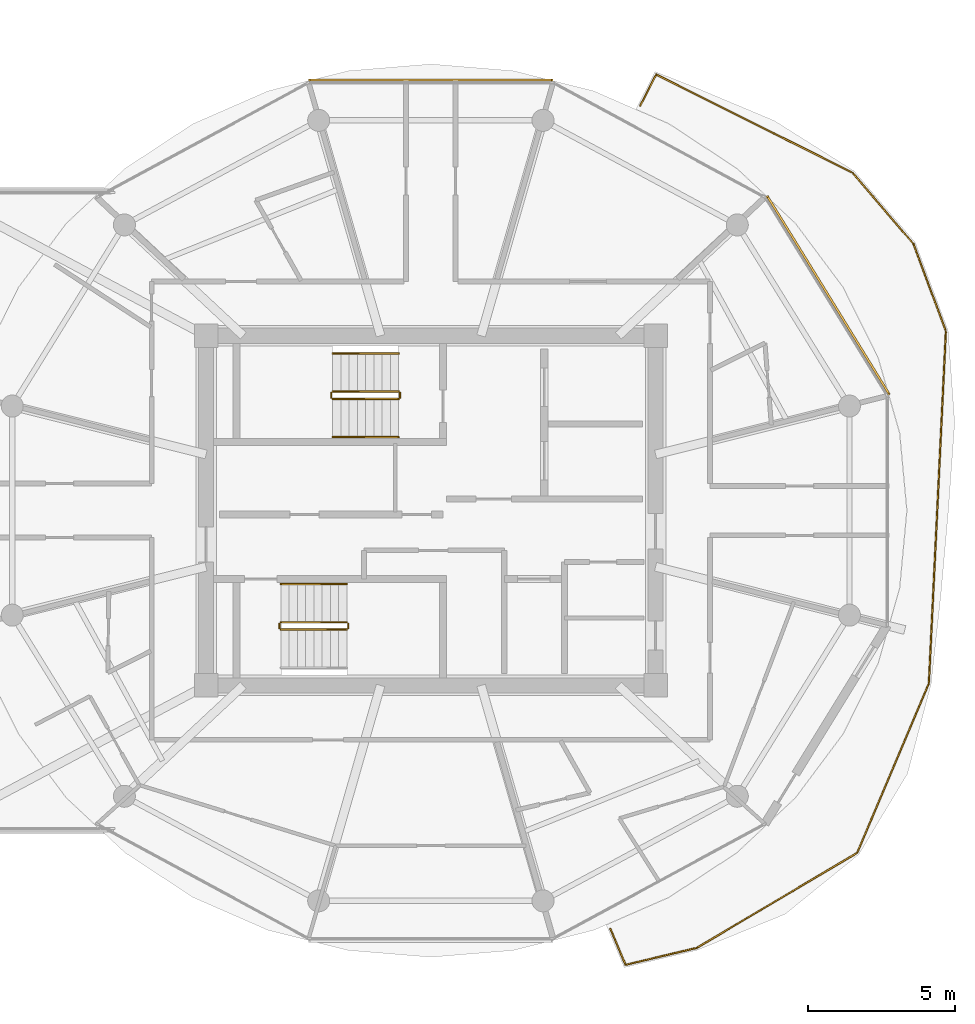
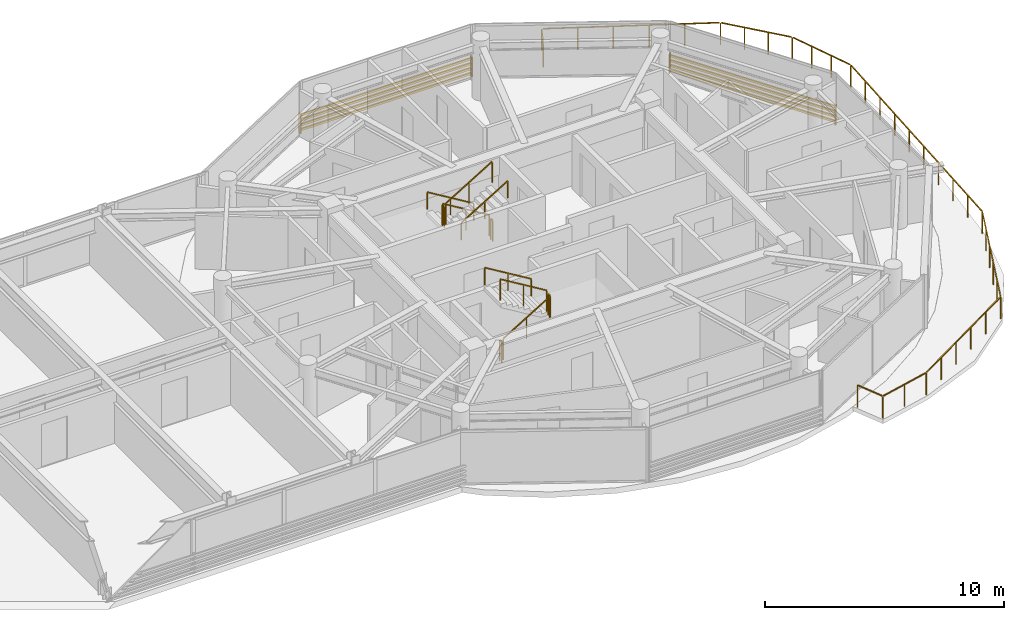
# One storey, part 23 of 23: 13 railings, 2 shading devices.
"""IFC4 building model written with IfcOpenShell, lengths in metres."""

from ifc_helpers import new_model, si_unit, direction, frame, origin, origin_2d, place, context, subcontext, project, spatial, rectangle, extrude, source, transform, mapped, material, type_object, type_shapes, element, save


model = new_model("IFC4")

# Units and contexts
model_context = context("Model", 3, precision=1e-05, world=origin(), true_north=direction((0.0, 1.0)))
body_context = subcontext(model_context, "Body", "Model", "MODEL_VIEW")
ifc_project = project(units=[si_unit("LENGTHUNIT", "METRE"), si_unit("AREAUNIT", "SQUARE_METRE"), si_unit("VOLUMEUNIT", "CUBIC_METRE"), si_unit("PLANEANGLEUNIT", "RADIAN"), si_unit("MASSUNIT", "GRAM", prefix="KILO")], contexts=[model_context])

# Site, building, storey
site_placement = place(None, origin())
site = spatial("IfcSite", under=ifc_project, at=site_placement, CompositionType="ELEMENT")
building_placement = place(site_placement, origin())
building = spatial("IfcBuilding", under=site, at=building_placement, Name="Norrkilde Senior Care Towers", CompositionType="ELEMENT")
storey_placement = place(building_placement, frame((0.0, 0.0, 207.800048828125)))
storey = spatial("IfcBuildingStorey", under=building, at=storey_placement, Name="L64", CompositionType="ELEMENT", Elevation=207.800048828125)

# Railings
ifc_material_1 = material(Name="Anodised Aluminium", Category="aluminium")
railing_type_1 = type_object("IfcRailingType", Name="Balcony Swirl Ribbon Guardrail 1150", PredefinedType="GUARDRAIL", material=ifc_material_1)
railing_1_placement = place(storey_placement, frame((42.5087890625, -11.64892578125, 0.0)))
element("IfcRailing", 1, at=railing_1_placement, inside=storey, type_object=railing_type_1, Name="L64 Perimeter Safety Guard 01", PredefinedType="GUARDRAIL", context=body_context, shape_type="SweptSolid", body=[
    extrude(rectangle(XDim=0.048095703125, YDim=0.048095703125, at=origin_2d()), frame((0.0, 0.0, 1.1259765625), z_axis=(-0.860277161203, -0.509826643, 0.0), x_axis=(0.509826643, -0.860277161203, 0.0)), (0.0, 0.0, 1.0), 6.3056640625),
    extrude(rectangle(XDim=0.048095703125, YDim=0.048095703125, at=origin_2d()), frame((-5.49951171875, -3.2451171875, 1.1259765625), z_axis=(-0.972926074045, -0.231116538662, 0.0), x_axis=(0.231116538662, -0.972926074045, 0.0)), (0.0, 0.0, 1.0), 2.406982421875),
    extrude(rectangle(XDim=0.048095703125, YDim=0.048095703125, at=origin_2d()), frame((-7.89697265625, -3.773193359375, 1.1259765625), z_axis=(-0.389783328251, 0.920906595164, 0.0), x_axis=(-0.920906595164, -0.389783328251, 0.0)), (0.0, 0.0, 1.0), 1.292724609375),
    extrude(rectangle(XDim=0.0419921875, YDim=0.0419921875, at=origin_2d()), origin(), (0.0, 0.0, 1.0), 1.099853515625),
    extrude(rectangle(XDim=0.0419921875, YDim=0.0419921875, at=origin_2d()), frame((-1.092041015625, -0.647216796875, 0.0)), (0.0, 0.0, 1.0), 1.099853515625),
    extrude(rectangle(XDim=0.0419921875, YDim=0.0419921875, at=origin_2d()), frame((-2.183837890625, -1.294189453125, 0.0)), (0.0, 0.0, 1.0), 1.099853515625),
    extrude(rectangle(XDim=0.0419921875, YDim=0.0419921875, at=origin_2d()), frame((-3.27587890625, -1.94140625, 0.0)), (0.0, 0.0, 1.0), 1.099853515625),
    extrude(rectangle(XDim=0.0419921875, YDim=0.0419921875, at=origin_2d()), frame((-4.36767578125, -2.58837890625, 0.0)), (0.0, 0.0, 1.0), 1.099853515625),
    extrude(rectangle(XDim=0.0419921875, YDim=0.0419921875, at=origin_2d()), frame((-5.459716796875, -3.235595703125, 0.0)), (0.0, 0.0, 1.0), 1.099853515625),
    extrude(rectangle(XDim=0.0419921875, YDim=0.0419921875, at=origin_2d()), frame((-6.67041015625, -3.523193359375, 0.0)), (0.0, 0.0, 1.0), 1.099853515625),
    extrude(rectangle(XDim=0.0419921875, YDim=0.0419921875, at=origin_2d()), frame((-7.881103515625, -3.810791015625, 0.0)), (0.0, 0.0, 1.0), 1.099853515625),
    extrude(rectangle(XDim=0.0419921875, YDim=0.0419921875, at=origin_2d()), frame((-8.40087890625, -2.582763671875, 0.0)), (0.0, 0.0, 1.0), 1.099853515625),
])
railing_2_placement = place(storey_placement, frame((35.130126953125, 13.784423828125, 0.0)))
element("IfcRailing", 2, at=railing_2_placement, inside=storey, type_object=railing_type_1, Name="L64 Perimeter Safety Guard 02", PredefinedType="GUARDRAIL", context=body_context, shape_type="SweptSolid", body=[
    extrude(rectangle(XDim=0.048095703125, YDim=0.048095703125, at=origin_2d()), frame((0.0, 0.0, 1.1259765625), z_axis=(0.454773682206, 0.890607039032, 0.0), x_axis=(-0.890607039032, 0.454773682206, 0.0)), (0.0, 0.0, 1.0), 1.14501953125),
    extrude(rectangle(XDim=0.048095703125, YDim=0.048095703125, at=origin_2d()), frame((0.575927734375, 1.037841796875, 1.1259765625), z_axis=(0.894440252908, -0.447187470731, 0.0), x_axis=(0.447187470731, 0.894440252908, 0.0)), (0.0, 0.0, 1.0), 7.39453125),
    extrude(rectangle(XDim=0.048095703125, YDim=0.048095703125, at=origin_2d()), frame((7.2529296875, -2.318115234375, 1.1259765625), z_axis=(0.649755430924, -0.76014332858, 0.0), x_axis=(0.76014332858, 0.649755430924, 0.0)), (0.0, 0.0, 1.0), 3.10302734375),
    extrude(rectangle(XDim=0.048095703125, YDim=0.048095703125, at=origin_2d()), frame((9.309814453125, -4.746337890625, 1.1259765625), z_axis=(0.34834325731, -0.937367043952, 0.0), x_axis=(0.937367043952, 0.34834325731, 0.0)), (0.0, 0.0, 1.0), 3.086181640625),
    extrude(rectangle(XDim=0.048095703125, YDim=0.048095703125, at=origin_2d()), frame((10.397216796875, -7.71826171875, 1.1259765625), z_axis=(-0.048215367866, -0.998836962823, 0.0), x_axis=(0.998836962823, -0.048215367866, 0.0)), (0.0, 0.0, 1.0), 11.923828125),
    extrude(rectangle(XDim=0.048095703125, YDim=0.048095703125, at=origin_2d()), frame((9.804443359375, -19.706787109375, 1.1259765625), z_axis=(-0.390041994438, -0.920797069161, 0.0), x_axis=(0.920797069161, -0.390041994438, 0.0)), (0.0, 0.0, 1.0), 6.218994140625),
    extrude(rectangle(XDim=0.0419921875, YDim=0.0419921875, at=origin_2d()), origin(), (0.0, 0.0, 1.0), 1.099853515625),
    extrude(rectangle(XDim=0.0419921875, YDim=0.0419921875, at=origin_2d()), frame((0.539306640625, 1.05615234375, 0.0)), (0.0, 0.0, 1.0), 1.099853515625),
    extrude(rectangle(XDim=0.0419921875, YDim=0.0419921875, at=origin_2d()), frame((1.876708984375, 0.387451171875, 0.0)), (0.0, 0.0, 1.0), 1.099853515625),
    extrude(rectangle(XDim=0.0419921875, YDim=0.0419921875, at=origin_2d()), frame((3.214111328125, -0.28125, 0.0)), (0.0, 0.0, 1.0), 1.099853515625),
    extrude(rectangle(XDim=0.0419921875, YDim=0.0419921875, at=origin_2d()), frame((4.551513671875, -0.94970703125, 0.0)), (0.0, 0.0, 1.0), 1.099853515625),
    extrude(rectangle(XDim=0.0419921875, YDim=0.0419921875, at=origin_2d()), frame((5.888916015625, -1.618408203125, 0.0)), (0.0, 0.0, 1.0), 1.099853515625),
    extrude(rectangle(XDim=0.0419921875, YDim=0.0419921875, at=origin_2d()), frame((7.226318359375, -2.287109375, 0.0)), (0.0, 0.0, 1.0), 1.099853515625),
    extrude(rectangle(XDim=0.0419921875, YDim=0.0419921875, at=origin_2d()), frame((7.916015625, -3.093994140625, 0.0)), (0.0, 0.0, 1.0), 1.099853515625),
    extrude(rectangle(XDim=0.0419921875, YDim=0.0419921875, at=origin_2d()), frame((8.60595703125, -3.901123046875, 0.0)), (0.0, 0.0, 1.0), 1.099853515625),
    extrude(rectangle(XDim=0.0419921875, YDim=0.0419921875, at=origin_2d()), frame((9.295654296875, -4.7080078125, 0.0)), (0.0, 0.0, 1.0), 1.099853515625),
    extrude(rectangle(XDim=0.0419921875, YDim=0.0419921875, at=origin_2d()), frame((9.66357421875, -5.69775390625, 0.0)), (0.0, 0.0, 1.0), 1.099853515625),
    extrude(rectangle(XDim=0.0419921875, YDim=0.0419921875, at=origin_2d()), frame((10.03125, -6.687744140625, 0.0)), (0.0, 0.0, 1.0), 1.099853515625),
    extrude(rectangle(XDim=0.0419921875, YDim=0.0419921875, at=origin_2d()), frame((10.399169921875, -7.677490234375, 0.0)), (0.0, 0.0, 1.0), 1.099853515625),
    extrude(rectangle(XDim=0.0419921875, YDim=0.0419921875, at=origin_2d()), frame((10.3349609375, -9.010009765625, 0.0)), (0.0, 0.0, 1.0), 1.099853515625),
    extrude(rectangle(XDim=0.0419921875, YDim=0.0419921875, at=origin_2d()), frame((10.2705078125, -10.34228515625, 0.0)), (0.0, 0.0, 1.0), 1.099853515625),
    extrude(rectangle(XDim=0.0419921875, YDim=0.0419921875, at=origin_2d()), frame((10.206298828125, -11.6748046875, 0.0)), (0.0, 0.0, 1.0), 1.099853515625),
    extrude(rectangle(XDim=0.0419921875, YDim=0.0419921875, at=origin_2d()), frame((10.141845703125, -13.007080078125, 0.0)), (0.0, 0.0, 1.0), 1.099853515625),
    extrude(rectangle(XDim=0.0419921875, YDim=0.0419921875, at=origin_2d()), frame((10.07763671875, -14.339599609375, 0.0)), (0.0, 0.0, 1.0), 1.099853515625),
    extrude(rectangle(XDim=0.0419921875, YDim=0.0419921875, at=origin_2d()), frame((10.01318359375, -15.671875, 0.0)), (0.0, 0.0, 1.0), 1.099853515625),
    extrude(rectangle(XDim=0.0419921875, YDim=0.0419921875, at=origin_2d()), frame((9.948974609375, -17.00439453125, 0.0)), (0.0, 0.0, 1.0), 1.099853515625),
    extrude(rectangle(XDim=0.0419921875, YDim=0.0419921875, at=origin_2d()), frame((9.884521484375, -18.336669921875, 0.0)), (0.0, 0.0, 1.0), 1.099853515625),
    extrude(rectangle(XDim=0.0419921875, YDim=0.0419921875, at=origin_2d()), frame((9.8203125, -19.669189453125, 0.0)), (0.0, 0.0, 1.0), 1.099853515625),
    extrude(rectangle(XDim=0.0419921875, YDim=0.0419921875, at=origin_2d()), frame((9.33203125, -20.822021484375, 0.0)), (0.0, 0.0, 1.0), 1.099853515625),
    extrude(rectangle(XDim=0.0419921875, YDim=0.0419921875, at=origin_2d()), frame((8.84375, -21.974853515625, 0.0)), (0.0, 0.0, 1.0), 1.099853515625),
    extrude(rectangle(XDim=0.0419921875, YDim=0.0419921875, at=origin_2d()), frame((8.355224609375, -23.127685546875, 0.0)), (0.0, 0.0, 1.0), 1.099853515625),
    extrude(rectangle(XDim=0.0419921875, YDim=0.0419921875, at=origin_2d()), frame((7.866943359375, -24.280517578125, 0.0)), (0.0, 0.0, 1.0), 1.099853515625),
    extrude(rectangle(XDim=0.0419921875, YDim=0.0419921875, at=origin_2d()), frame((7.378662109375, -25.433349609375, 0.0)), (0.0, 0.0, 1.0), 1.099853515625),
])
ifc_material_2 = material(Name="Stainless Steel", Category="steel")
railing_type_2 = type_object("IfcRailingType", Name="Stair and Terrace Guardrail 1100", PredefinedType="GUARDRAIL", material=ifc_material_2)
railing_3_placement = place(storey_placement, frame((26.89990234375, 4.050048828125, 0.16943359375)))
element("IfcRailing", 3, at=railing_3_placement, inside=storey, type_object=railing_type_2, Name="L64 ST-E1 stair guard 1", PredefinedType="GUARDRAIL", context=body_context, shape_type="SweptSolid", body=[
    extrude(rectangle(XDim=0.048095703125, YDim=0.048095703125, at=origin_2d()), frame((0.0, 0.0, 1.076171875), z_axis=(-0.855553338991, 0.0, 0.51771467445), x_axis=(0.0, -1.0, 0.0)), (0.0, 0.0, 1.0), 2.6181640625),
    extrude(rectangle(XDim=0.0419921875, YDim=0.0419921875, at=origin_2d()), origin(), (0.0, 0.0, 1.0), 1.050048828125),
    extrude(rectangle(XDim=0.0419921875, YDim=0.0419921875, at=origin_2d()), frame((-1.1201171875, 0.0, 0.677734375)), (0.0, 0.0, 1.0), 1.050048828125),
    extrude(rectangle(XDim=0.0419921875, YDim=0.0419921875, at=origin_2d()), frame((-2.239990234375, 0.0, 1.35546875)), (0.0, 0.0, 1.0), 1.050048828125),
])
railing_4_placement = place(storey_placement, frame((24.610107421875, 4.0, 1.52490234375)))
element("IfcRailing", 4, at=railing_4_placement, inside=storey, type_object=railing_type_2, Name="L64 ST-E1 stair guard 2", PredefinedType="GUARDRAIL", context=body_context, shape_type="SweptSolid", body=[
    extrude(rectangle(XDim=0.048095703125, YDim=0.048095703125, at=origin_2d()), frame((0.0, 0.0, 1.076171875), z_axis=(0.0, -1.0, 0.0), x_axis=(1.0, 0.0, 0.0)), (0.0, 0.0, 1.0), 0.14990234375),
    extrude(rectangle(XDim=0.0419921875, YDim=0.0419921875, at=origin_2d()), origin(), (0.0, 0.0, 1.0), 1.050048828125),
    extrude(rectangle(XDim=0.0419921875, YDim=0.0419921875, at=origin_2d()), frame((0.0, -0.14990234375, 0.0)), (0.0, 0.0, 1.0), 1.050048828125),
])
railing_5_placement = place(storey_placement, frame((24.659912109375, 3.800048828125, 1.6943359375)))
element("IfcRailing", 5, at=railing_5_placement, inside=storey, type_object=railing_type_2, Name="L64 ST-E1 stair guard 3", PredefinedType="GUARDRAIL", context=body_context, shape_type="SweptSolid", body=[
    extrude(rectangle(XDim=0.048095703125, YDim=0.048095703125, at=origin_2d()), frame((0.0, 0.0, 1.076171875), z_axis=(0.855512035549, 0.0, 0.517782924622), x_axis=(0.0, 1.0, 0.0)), (0.0, 0.0, 1.0), 2.618408203125),
    extrude(rectangle(XDim=0.0419921875, YDim=0.0419921875, at=origin_2d()), origin(), (0.0, 0.0, 1.0), 1.050048828125),
    extrude(rectangle(XDim=0.0419921875, YDim=0.0419921875, at=origin_2d()), frame((1.1201171875, 0.0, 0.677734375)), (0.0, 0.0, 1.0), 1.050048828125),
    extrude(rectangle(XDim=0.0419921875, YDim=0.0419921875, at=origin_2d()), frame((2.239990234375, 0.0, 1.355712890625)), (0.0, 0.0, 1.0), 1.050048828125),
])
railing_6_placement = place(storey_placement, frame((26.949951171875, 4.0, 0.0)))
element("IfcRailing", 6, at=railing_6_placement, inside=storey, type_object=railing_type_2, Name="L64 ST-E1 stair guard 4", PredefinedType="GUARDRAIL", context=body_context, shape_type="SweptSolid", body=[
    extrude(rectangle(XDim=0.048095703125, YDim=0.048095703125, at=origin_2d()), frame((0.0, 0.0, 1.076171875), z_axis=(0.0, -1.0, 0.0), x_axis=(1.0, 0.0, 0.0)), (0.0, 0.0, 1.0), 0.14990234375),
    extrude(rectangle(XDim=0.0419921875, YDim=0.0419921875, at=origin_2d()), origin(), (0.0, 0.0, 1.0), 1.050048828125),
    extrude(rectangle(XDim=0.0419921875, YDim=0.0419921875, at=origin_2d()), frame((0.0, -0.14990234375, 0.0)), (0.0, 0.0, 1.0), 1.050048828125),
])
railing_7_placement = place(storey_placement, frame((22.89990234375, -4.050048828125, 0.16943359375)))
element("IfcRailing", 7, at=railing_7_placement, inside=storey, type_object=railing_type_2, Name="L64 ST-E2 stair guard 1", PredefinedType="GUARDRAIL", context=body_context, shape_type="SweptSolid", body=[
    extrude(rectangle(XDim=0.048095703125, YDim=0.048095703125, at=origin_2d()), frame((0.0, 0.0, 1.076171875), z_axis=(0.855553338991, 0.0, 0.51771467445), x_axis=(0.0, 1.0, 0.0)), (0.0, 0.0, 1.0), 2.6181640625),
    extrude(rectangle(XDim=0.0419921875, YDim=0.0419921875, at=origin_2d()), origin(), (0.0, 0.0, 1.0), 1.050048828125),
    extrude(rectangle(XDim=0.0419921875, YDim=0.0419921875, at=origin_2d()), frame((1.1201171875, 0.0, 0.677734375)), (0.0, 0.0, 1.0), 1.050048828125),
    extrude(rectangle(XDim=0.0419921875, YDim=0.0419921875, at=origin_2d()), frame((2.239990234375, 0.0, 1.35546875)), (0.0, 0.0, 1.0), 1.050048828125),
])
railing_8_placement = place(storey_placement, frame((25.18994140625, -4.0, 1.52490234375)))
element("IfcRailing", 8, at=railing_8_placement, inside=storey, type_object=railing_type_2, Name="L64 ST-E2 stair guard 2", PredefinedType="GUARDRAIL", context=body_context, shape_type="SweptSolid", body=[
    extrude(rectangle(XDim=0.048095703125, YDim=0.048095703125, at=origin_2d()), frame((0.0, 0.0, 1.076171875), z_axis=(0.0, 1.0, 0.0), x_axis=(-1.0, 0.0, 0.0)), (0.0, 0.0, 1.0), 0.14990234375),
    extrude(rectangle(XDim=0.0419921875, YDim=0.0419921875, at=origin_2d()), origin(), (0.0, 0.0, 1.0), 1.050048828125),
    extrude(rectangle(XDim=0.0419921875, YDim=0.0419921875, at=origin_2d()), frame((0.0, 0.14990234375, 0.0)), (0.0, 0.0, 1.0), 1.050048828125),
])
railing_9_placement = place(storey_placement, frame((25.139892578125, -3.800048828125, 1.6943359375)))
element("IfcRailing", 9, at=railing_9_placement, inside=storey, type_object=railing_type_2, Name="L64 ST-E2 stair guard 3", PredefinedType="GUARDRAIL", context=body_context, shape_type="SweptSolid", body=[
    extrude(rectangle(XDim=0.048095703125, YDim=0.048095703125, at=origin_2d()), frame((0.0, 0.0, 1.076171875), z_axis=(-0.855512035549, 0.0, 0.517782924622), x_axis=(0.0, -1.0, 0.0)), (0.0, 0.0, 1.0), 2.618408203125),
    extrude(rectangle(XDim=0.0419921875, YDim=0.0419921875, at=origin_2d()), origin(), (0.0, 0.0, 1.0), 1.050048828125),
    extrude(rectangle(XDim=0.0419921875, YDim=0.0419921875, at=origin_2d()), frame((-1.1201171875, 0.0, 0.677734375)), (0.0, 0.0, 1.0), 1.050048828125),
    extrude(rectangle(XDim=0.0419921875, YDim=0.0419921875, at=origin_2d()), frame((-2.239990234375, 0.0, 1.355712890625)), (0.0, 0.0, 1.0), 1.050048828125),
])
railing_10_placement = place(storey_placement, frame((22.85009765625, -4.0, 0.0)))
element("IfcRailing", 10, at=railing_10_placement, inside=storey, type_object=railing_type_2, Name="L64 ST-E2 stair guard 4", PredefinedType="GUARDRAIL", context=body_context, shape_type="SweptSolid", body=[
    extrude(rectangle(XDim=0.048095703125, YDim=0.048095703125, at=origin_2d()), frame((0.0, 0.0, 1.076171875), z_axis=(0.0, 1.0, 0.0), x_axis=(-1.0, 0.0, 0.0)), (0.0, 0.0, 1.0), 0.14990234375),
    extrude(rectangle(XDim=0.0419921875, YDim=0.0419921875, at=origin_2d()), origin(), (0.0, 0.0, 1.0), 1.050048828125),
    extrude(rectangle(XDim=0.0419921875, YDim=0.0419921875, at=origin_2d()), frame((0.0, 0.14990234375, 0.0)), (0.0, 0.0, 1.0), 1.050048828125),
])
ifc_material_3 = material(Name="Nordic Ash Timber", Category="wood")
railing_type_3 = type_object("IfcRailingType", Name="Wall and Stair Handrail 900", PredefinedType="HANDRAIL", material=ifc_material_3)
railing_11_placement = place(storey_placement, frame((26.89990234375, 5.35009765625, 0.16943359375)))
element("IfcRailing", 11, at=railing_11_placement, inside=storey, type_object=railing_type_3, Name="L64 ST-E1 stair handrail 1", PredefinedType="HANDRAIL", context=body_context, shape_type="SweptSolid", body=[
    extrude(rectangle(XDim=0.048095703125, YDim=0.048095703125, at=origin_2d()), frame((0.0, 0.0, 0.8759765625), z_axis=(-0.855553338991, 0.0, 0.51771467445), x_axis=(0.0, -1.0, 0.0)), (0.0, 0.0, 1.0), 2.6181640625),
    extrude(rectangle(XDim=0.0419921875, YDim=0.0419921875, at=origin_2d()), origin(), (0.0, 0.0, 1.0), 0.849853515625),
    extrude(rectangle(XDim=0.0419921875, YDim=0.0419921875, at=origin_2d()), frame((-1.1201171875, 0.0, 0.677734375)), (0.0, 0.0, 1.0), 0.849853515625),
    extrude(rectangle(XDim=0.0419921875, YDim=0.0419921875, at=origin_2d()), frame((-2.239990234375, 0.0, 1.35546875)), (0.0, 0.0, 1.0), 0.849853515625),
])
railing_12_placement = place(storey_placement, frame((24.659912109375, 2.5, 1.6943359375)))
element("IfcRailing", 12, at=railing_12_placement, inside=storey, type_object=railing_type_3, Name="L64 ST-E1 stair handrail 2", PredefinedType="HANDRAIL", context=body_context, shape_type="SweptSolid", body=[
    extrude(rectangle(XDim=0.048095703125, YDim=0.048095703125, at=origin_2d()), frame((0.0, 0.0, 0.8759765625), z_axis=(0.855512035549, 0.0, 0.517782924622), x_axis=(0.0, 1.0, 0.0)), (0.0, 0.0, 1.0), 2.618408203125),
    extrude(rectangle(XDim=0.0419921875, YDim=0.0419921875, at=origin_2d()), origin(), (0.0, 0.0, 1.0), 0.849853515625),
    extrude(rectangle(XDim=0.0419921875, YDim=0.0419921875, at=origin_2d()), frame((1.1201171875, 0.0, 0.677734375)), (0.0, 0.0, 1.0), 0.849853515625),
    extrude(rectangle(XDim=0.0419921875, YDim=0.0419921875, at=origin_2d()), frame((2.239990234375, 0.0, 1.355712890625)), (0.0, 0.0, 1.0), 0.849853515625),
])
railing_13_placement = place(storey_placement, frame((25.139892578125, -2.5, 1.6943359375)))
element("IfcRailing", 13, at=railing_13_placement, inside=storey, type_object=railing_type_3, Name="L64 ST-E2 stair handrail 2", PredefinedType="HANDRAIL", context=body_context, shape_type="SweptSolid", body=[
    extrude(rectangle(XDim=0.048095703125, YDim=0.048095703125, at=origin_2d()), frame((0.0, 0.0, 0.8759765625), z_axis=(-0.855512035549, 0.0, 0.517782924622), x_axis=(0.0, -1.0, 0.0)), (0.0, 0.0, 1.0), 2.618408203125),
    extrude(rectangle(XDim=0.0419921875, YDim=0.0419921875, at=origin_2d()), origin(), (0.0, 0.0, 1.0), 0.849853515625),
    extrude(rectangle(XDim=0.0419921875, YDim=0.0419921875, at=origin_2d()), frame((-1.1201171875, 0.0, 0.677734375)), (0.0, 0.0, 1.0), 0.849853515625),
    extrude(rectangle(XDim=0.0419921875, YDim=0.0419921875, at=origin_2d()), frame((-2.239990234375, 0.0, 1.355712890625)), (0.0, 0.0, 1.0), 0.849853515625),
])

# Shading devices
ifc_material_4 = material(Name="Architectural Terracotta", Category="masonry")
shading_device_type = type_object("IfcShadingDeviceType", Name="Horizontal Terracotta Baguette Rack", PredefinedType="USERDEFINED", material=ifc_material_4)
shared_shape_1 = source(origin(), body_context, "Body", "SweptSolid", [
    extrude(rectangle(XDim=0.070068359375, YDim=0.110107421875, at=origin_2d()), frame((0.0, 0.090087890625, 0.125), z_axis=(1.0, 0.0, 0.0), x_axis=(0.0, 1.0, 0.0)), (0.0, 0.0, 1.0), 7.938232421875),
    extrude(rectangle(XDim=0.070068359375, YDim=0.110107421875, at=origin_2d()), frame((0.0, 0.090087890625, 0.375), z_axis=(1.0, 0.0, 0.0), x_axis=(0.0, 1.0, 0.0)), (0.0, 0.0, 1.0), 7.938232421875),
    extrude(rectangle(XDim=0.070068359375, YDim=0.110107421875, at=origin_2d()), frame((0.0, 0.090087890625, 0.625), z_axis=(1.0, 0.0, 0.0), x_axis=(0.0, 1.0, 0.0)), (0.0, 0.0, 1.0), 7.938232421875),
    extrude(rectangle(XDim=0.070068359375, YDim=0.110107421875, at=origin_2d()), frame((0.0, 0.090087890625, 0.875), z_axis=(1.0, 0.0, 0.0), x_axis=(0.0, 1.0, 0.0)), (0.0, 0.0, 1.0), 7.938232421875),
    extrude(rectangle(XDim=0.050048828125, YDim=0.1552734375, at=origin_2d()), frame((0.02490234375, 0.047607421875, 0.0)), (0.0, 0.0, 1.0), 1.0),
    extrude(rectangle(XDim=0.050048828125, YDim=0.1552734375, at=origin_2d()), frame((7.9130859375, 0.047607421875, 0.0)), (0.0, 0.0, 1.0), 1.0),
])
shading_device_1_placement = place(storey_placement, frame((39.370361328125, 10.6630859375, 0.079833984375), z_axis=(0.0, 0.0, 1.0), x_axis=(0.524250345994, -0.851576195602, 0.0)))
element("IfcShadingDevice", 14, at=shading_device_1_placement, inside=storey, type_object=shading_device_type, Name="L64 Drum E Terracotta Baguette Screen 00", ObjectType="BAGUETTE", PredefinedType="USERDEFINED", context=body_context, shape_type="MappedRepresentation", body=[
    mapped(shared_shape_1, transform((0.0, 0.0, 0.0), x_axis=(1.0, 0.0, 0.0), y_axis=(0.0, 1.0, 0.0), z_axis=(0.0, 0.0, 1.0), scale=1.0)),
])
shared_shape_2 = source(origin(), body_context, "Body", "SweptSolid", [
    extrude(rectangle(XDim=0.070068359375, YDim=0.110107421875, at=origin_2d()), frame((0.0, 0.090087890625, 0.125), z_axis=(1.0, 0.0, 0.0), x_axis=(0.0, 1.0, 0.0)), (0.0, 0.0, 1.0), 8.32373046875),
    extrude(rectangle(XDim=0.070068359375, YDim=0.110107421875, at=origin_2d()), frame((0.0, 0.090087890625, 0.375), z_axis=(1.0, 0.0, 0.0), x_axis=(0.0, 1.0, 0.0)), (0.0, 0.0, 1.0), 8.32373046875),
    extrude(rectangle(XDim=0.070068359375, YDim=0.110107421875, at=origin_2d()), frame((0.0, 0.090087890625, 0.625), z_axis=(1.0, 0.0, 0.0), x_axis=(0.0, 1.0, 0.0)), (0.0, 0.0, 1.0), 8.32373046875),
    extrude(rectangle(XDim=0.070068359375, YDim=0.110107421875, at=origin_2d()), frame((0.0, 0.090087890625, 0.875), z_axis=(1.0, 0.0, 0.0), x_axis=(0.0, 1.0, 0.0)), (0.0, 0.0, 1.0), 8.32373046875),
    extrude(rectangle(XDim=0.050048828125, YDim=0.1552734375, at=origin_2d()), frame((0.02490234375, 0.047607421875, 0.0)), (0.0, 0.0, 1.0), 1.0),
    extrude(rectangle(XDim=0.050048828125, YDim=0.1552734375, at=origin_2d()), frame((8.298828125, 0.047607421875, 0.0)), (0.0, 0.0, 1.0), 1.0),
])
type_shapes(shading_device_type, [shared_shape_1, shared_shape_2])
shading_device_2_placement = place(storey_placement, frame((23.838134765625, 14.566162109375, 0.079833984375), z_axis=(0.0, 0.0, 1.0), x_axis=(1.0, 0.0, 0.0)))
element("IfcShadingDevice", 15, at=shading_device_2_placement, inside=storey, type_object=shading_device_type, Name="L64 Drum E Terracotta Baguette Screen 02", ObjectType="BAGUETTE", PredefinedType="USERDEFINED", context=body_context, shape_type="MappedRepresentation", body=[
    mapped(shared_shape_2, transform((0.0, 0.0, 0.0), x_axis=(1.0, 0.0, 0.0), y_axis=(0.0, 1.0, 0.0), z_axis=(0.0, 0.0, 1.0), scale=1.0)),
])

save(model, "model.ifc")
